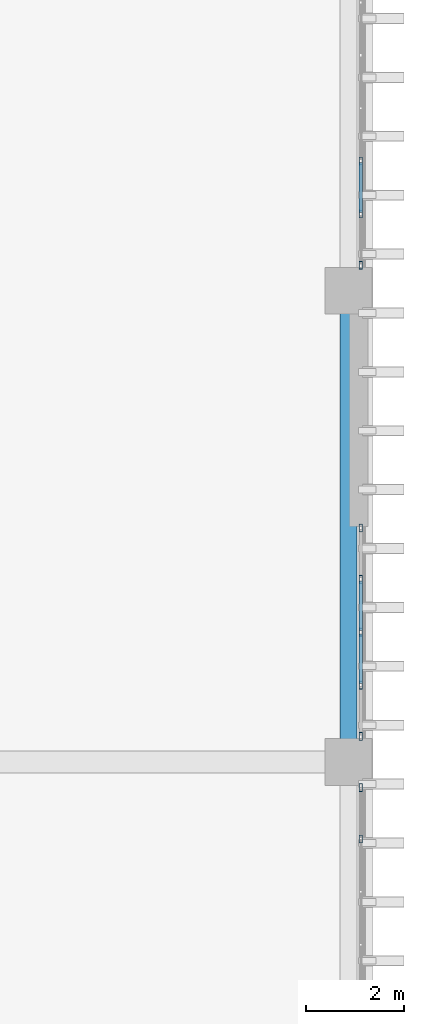
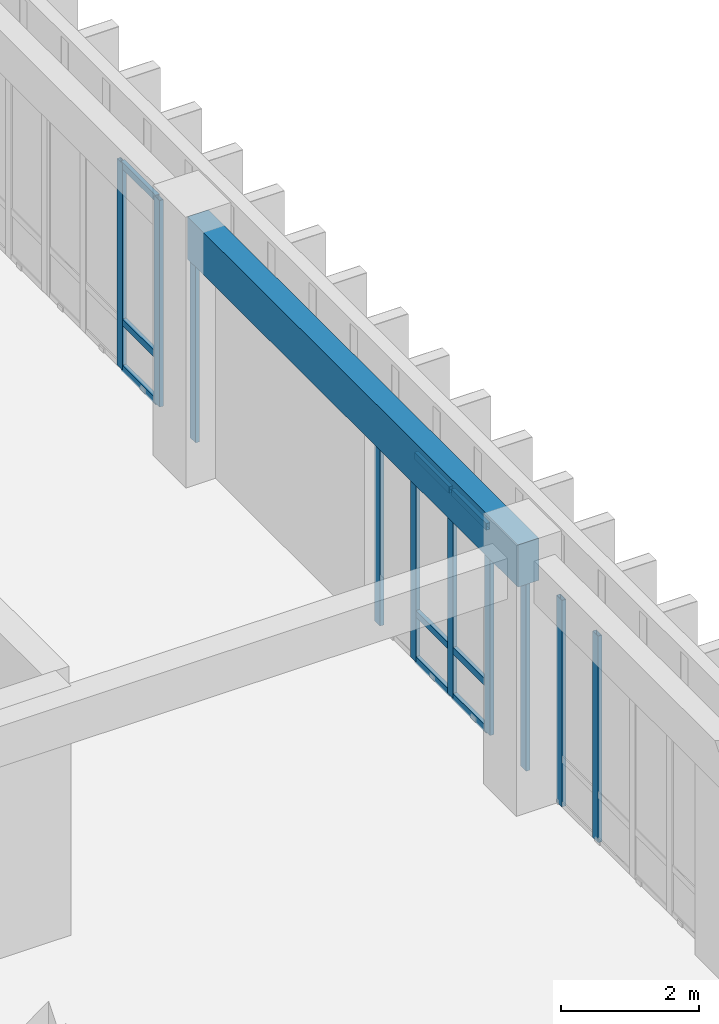
# One storey, part 65 of 133: 19 members, 1 beam, 3 elements without a shape of their own.
"""IFC4 building model written with IfcOpenShell, lengths in metres."""

from ifc_helpers import new_model, si_unit, direction, frame, origin, origin_2d, place, context, subcontext, project, spatial, rectangle, hollow_rectangle, extrude, material, layer, layer_set, material_profile, profile_set, type_object, element, aggregate, save


model = new_model("IFC4")

# Units and contexts
model_context = context("Model", 3, precision=1e-05, world=origin(), true_north=direction((0.0, 1.0)))
body_context = subcontext(model_context, "Body", "Model", "MODEL_VIEW")
ifc_project = project(units=[si_unit("LENGTHUNIT", "METRE"), si_unit("AREAUNIT", "SQUARE_METRE"), si_unit("VOLUMEUNIT", "CUBIC_METRE"), si_unit("PLANEANGLEUNIT", "RADIAN"), si_unit("MASSUNIT", "GRAM", prefix="KILO")], contexts=[model_context])

# Site, building, storey
site_placement = place(None, origin())
site = spatial("IfcSite", under=ifc_project, at=site_placement, CompositionType="ELEMENT")
building_placement = place(site_placement, origin())
building = spatial("IfcBuilding", under=site, at=building_placement, Name="Nakhvara Creek Congress Hotel", CompositionType="ELEMENT")
storey_placement = place(building_placement, frame((0.0, 0.0, 11.39990234375)))
storey = spatial("IfcBuildingStorey", under=building, at=storey_placement, Name="L02", CompositionType="ELEMENT", Elevation=11.39990234375)

# Beam
ifc_material_1 = material(Name="Concrete C40/50", Category="concrete")
ifc_material_profile_1 = material_profile(ifc_material_1, rectangle(XDim=0.35009765625, YDim=0.75, at=origin_2d()), Name="RC-SPANDREL 350x750", Category="LoadBearing")
ifc_profile_set_1 = profile_set([ifc_material_profile_1], Name="Concrete C40/50")
beam_type = type_object("IfcBeamType", Name="BM-SPN-350X750", PredefinedType="SPANDREL", material=ifc_profile_set_1)
beam_placement = place(storey_placement, frame((179.35009765625, 48.0, 4.045166015625), z_axis=(0.0, 1.0, 0.0), x_axis=(-1.0, 0.0, 0.0)))
element("IfcBeam", 1, at=beam_placement, inside=storey, type_object=beam_type, Name="Beam SP1-L02-1656", PredefinedType="SPANDREL", context=body_context, shape_type="SweptSolid", body=[
    extrude(rectangle(XDim=0.35009765625, YDim=0.75, at=origin_2d()), origin(), (0.0, 0.0, 1.0), 9.60009765625),
])

# Curtain wall, members
ifc_material_2 = material(Name="Bronze-anodised aluminium AW-6063-T6 and double-silver low-E glass", Category="aluminium")
ifc_layer = layer(ifc_material_2, 0.199951171875)
ifc_layer_set = layer_set([ifc_layer], Name="Bronze-anodised aluminium AW-6063-T6 and double-silver low-E glass")
curtain_wall_type = type_object("IfcCurtainWallType", Name="CW-HTL-UNIT", PredefinedType="USERDEFINED", material=ifc_layer_set)
curtain_wall_1_placement = place(storey_placement, origin())
curtain_wall_1 = element("IfcCurtainWall", 2, at=curtain_wall_1_placement, inside=storey, type_object=curtain_wall_type, Name="Curtain Wall CW134", ObjectType="UNITISED", PredefinedType="USERDEFINED")
ifc_material_3 = material(Name="Bronze-anodised aluminium AW-6063-T6", Category="aluminium")
ifc_material_profile_2 = material_profile(ifc_material_3, hollow_rectangle(XDim=0.06494140625, YDim=0.159912109375, WallThickness=0.00390625, at=origin_2d()), Name="ALU-MULL 65x160x4", Category="LoadBearing")
ifc_profile_set_2 = profile_set([ifc_material_profile_2], Name="Bronze-anodised aluminium AW-6063-T6")
member_type_1 = type_object("IfcMemberType", Name="CW-MULL-160", PredefinedType="MULLION", material=ifc_profile_set_2)
member_1_placement = place(storey_placement, frame((179.60009765625, 47.4775390625, 0.0), z_axis=(0.0, 0.0, 1.0), x_axis=(1.0, 0.0, 0.0)))
member_1 = element("IfcMember", 3, at=member_1_placement, type_object=member_type_1, Name="CW134 mullion 1", PredefinedType="MULLION", context=body_context, shape_type="SweptSolid", body=[
    extrude(hollow_rectangle(XDim=0.06494140625, YDim=0.159912109375, WallThickness=0.00390625, at=origin_2d()), origin(), (0.0, 0.0, 1.0), 3.662109375),
])
member_2_placement = place(storey_placement, frame((179.60009765625, 46.4326171875, 0.0), z_axis=(0.0, 0.0, 1.0), x_axis=(1.0, 0.0, 0.0)))
member_2 = element("IfcMember", 4, at=member_2_placement, type_object=member_type_1, Name="CW134 mullion 2", PredefinedType="MULLION", context=body_context, shape_type="SweptSolid", body=[
    extrude(hollow_rectangle(XDim=0.06494140625, YDim=0.159912109375, WallThickness=0.00390625, at=origin_2d()), origin(), (0.0, 0.0, 1.0), 3.662109375),
])
aggregate(curtain_wall_1, [member_1, member_2])

curtain_wall_2_placement = place(storey_placement, origin())
curtain_wall_2 = element("IfcCurtainWall", 5, at=curtain_wall_2_placement, inside=storey, type_object=curtain_wall_type, Name="Curtain Wall CW135", ObjectType="UNITISED", PredefinedType="USERDEFINED")
member_3_placement = place(storey_placement, frame((179.60009765625, 52.767578125, 0.0), z_axis=(0.0, 0.0, 1.0), x_axis=(1.0, 0.0, 0.0)))
member_3 = element("IfcMember", 6, at=member_3_placement, type_object=member_type_1, Name="CW135 mullion 1", PredefinedType="MULLION", context=body_context, shape_type="SweptSolid", body=[
    extrude(hollow_rectangle(XDim=0.06494140625, YDim=0.159912109375, WallThickness=0.00390625, at=origin_2d()), origin(), (0.0, 0.0, 1.0), 3.662109375),
])
member_4_placement = place(storey_placement, frame((179.60009765625, 51.722412109375, 0.0), z_axis=(0.0, 0.0, 1.0), x_axis=(1.0, 0.0, 0.0)))
member_4 = element("IfcMember", 7, at=member_4_placement, type_object=member_type_1, Name="CW135 mullion 2", PredefinedType="MULLION", context=body_context, shape_type="SweptSolid", body=[
    extrude(hollow_rectangle(XDim=0.06494140625, YDim=0.159912109375, WallThickness=0.00390625, at=origin_2d()), origin(), (0.0, 0.0, 1.0), 3.662109375),
])
member_5_placement = place(storey_placement, frame((179.60009765625, 50.64501953125, 0.0), z_axis=(0.0, 0.0, 1.0), x_axis=(1.0, 0.0, 0.0)))
member_5 = element("IfcMember", 8, at=member_5_placement, type_object=member_type_1, Name="CW135 mullion 3", PredefinedType="MULLION", context=body_context, shape_type="SweptSolid", body=[
    extrude(hollow_rectangle(XDim=0.06494140625, YDim=0.159912109375, WallThickness=0.00390625, at=origin_2d()), origin(), (0.0, 0.0, 1.0), 3.662109375),
])
member_6_placement = place(storey_placement, frame((179.60009765625, 49.5673828125, 0.0), z_axis=(0.0, 0.0, 1.0), x_axis=(1.0, 0.0, 0.0)))
member_6 = element("IfcMember", 9, at=member_6_placement, type_object=member_type_1, Name="CW135 mullion 4", PredefinedType="MULLION", context=body_context, shape_type="SweptSolid", body=[
    extrude(hollow_rectangle(XDim=0.06494140625, YDim=0.159912109375, WallThickness=0.00390625, at=origin_2d()), origin(), (0.0, 0.0, 1.0), 3.662109375),
])
member_7_placement = place(storey_placement, frame((179.60009765625, 48.5224609375, 0.0), z_axis=(0.0, 0.0, 1.0), x_axis=(1.0, 0.0, 0.0)))
member_7 = element("IfcMember", 10, at=member_7_placement, type_object=member_type_1, Name="CW135 mullion 5", PredefinedType="MULLION", context=body_context, shape_type="SweptSolid", body=[
    extrude(hollow_rectangle(XDim=0.06494140625, YDim=0.159912109375, WallThickness=0.00390625, at=origin_2d()), origin(), (0.0, 0.0, 1.0), 3.662109375),
])

curtain_wall_3_placement = place(storey_placement, origin())
curtain_wall_3 = element("IfcCurtainWall", 11, at=curtain_wall_3_placement, inside=storey, type_object=curtain_wall_type, Name="Curtain Wall CW136", ObjectType="UNITISED", PredefinedType="USERDEFINED")
member_8_placement = place(storey_placement, frame((179.60009765625, 60.2451171875, 0.0), z_axis=(0.0, 0.0, 1.0), x_axis=(1.0, 0.0, 0.0)))
member_8 = element("IfcMember", 12, at=member_8_placement, type_object=member_type_1, Name="CW136 mullion 3", PredefinedType="MULLION", context=body_context, shape_type="SweptSolid", body=[
    extrude(hollow_rectangle(XDim=0.06494140625, YDim=0.159912109375, WallThickness=0.00390625, at=origin_2d()), origin(), (0.0, 0.0, 1.0), 3.662109375),
])
member_9_placement = place(storey_placement, frame((179.60009765625, 59.16748046875, 0.0), z_axis=(0.0, 0.0, 1.0), x_axis=(1.0, 0.0, 0.0)))
member_9 = element("IfcMember", 13, at=member_9_placement, type_object=member_type_1, Name="CW136 mullion 4", PredefinedType="MULLION", context=body_context, shape_type="SweptSolid", body=[
    extrude(hollow_rectangle(XDim=0.06494140625, YDim=0.159912109375, WallThickness=0.00390625, at=origin_2d()), origin(), (0.0, 0.0, 1.0), 3.662109375),
])
member_10_placement = place(storey_placement, frame((179.60009765625, 58.12255859375, 0.0), z_axis=(0.0, 0.0, 1.0), x_axis=(1.0, 0.0, 0.0)))
member_10 = element("IfcMember", 14, at=member_10_placement, type_object=member_type_1, Name="CW136 mullion 5", PredefinedType="MULLION", context=body_context, shape_type="SweptSolid", body=[
    extrude(hollow_rectangle(XDim=0.06494140625, YDim=0.159912109375, WallThickness=0.00390625, at=origin_2d()), origin(), (0.0, 0.0, 1.0), 3.662109375),
])

# Member
ifc_material_profile_3 = material_profile(ifc_material_3, hollow_rectangle(XDim=0.06494140625, YDim=0.1201171875, WallThickness=0.00390625, at=origin_2d()), Name="ALU-TRAN 65x120x4", Category="LoadBearing")
ifc_profile_set_3 = profile_set([ifc_material_profile_3], Name="Bronze-anodised aluminium AW-6063-T6")
member_type_2 = type_object("IfcMemberType", Name="CW-TRAN-120", PredefinedType="USERDEFINED", material=ifc_profile_set_3)
member_11_placement = place(storey_placement, frame((179.60009765625, 51.68994140625, 0.03271484375), z_axis=(0.0, -1.0, 0.0), x_axis=(1.0, 0.0, 0.0)))
member_11 = element("IfcMember", 15, at=member_11_placement, type_object=member_type_2, Name="CW135 transom 2.1", ObjectType="TRANSOM", PredefinedType="USERDEFINED", context=body_context, shape_type="SweptSolid", body=[
    extrude(hollow_rectangle(XDim=0.06494140625, YDim=0.1201171875, WallThickness=0.00390625, at=origin_2d()), origin(), (0.0, 0.0, 1.0), 1.012451171875),
])

member_12_placement = place(storey_placement, frame((179.60009765625, 51.68994140625, 0.85009765625), z_axis=(0.0, -1.0, 0.0), x_axis=(1.0, 0.0, 0.0)))
member_12 = element("IfcMember", 16, at=member_12_placement, type_object=member_type_2, Name="CW135 transom 2.2", ObjectType="TRANSOM", PredefinedType="USERDEFINED", context=body_context, shape_type="SweptSolid", body=[
    extrude(hollow_rectangle(XDim=0.06494140625, YDim=0.1201171875, WallThickness=0.00390625, at=origin_2d()), origin(), (0.0, 0.0, 1.0), 1.012451171875),
])

member_13_placement = place(storey_placement, frame((179.60009765625, 51.68994140625, 3.629638671875), z_axis=(0.0, -1.0, 0.0), x_axis=(1.0, 0.0, 0.0)))
member_13 = element("IfcMember", 17, at=member_13_placement, type_object=member_type_2, Name="CW135 transom 2.3", ObjectType="TRANSOM", PredefinedType="USERDEFINED", context=body_context, shape_type="SweptSolid", body=[
    extrude(hollow_rectangle(XDim=0.06494140625, YDim=0.1201171875, WallThickness=0.00390625, at=origin_2d()), origin(), (0.0, 0.0, 1.0), 1.012451171875),
])

member_14_placement = place(storey_placement, frame((179.60009765625, 50.612548828125, 0.03271484375), z_axis=(0.0, -1.0, 0.0), x_axis=(1.0, 0.0, 0.0)))
member_14 = element("IfcMember", 18, at=member_14_placement, type_object=member_type_2, Name="CW135 transom 3.1", ObjectType="TRANSOM", PredefinedType="USERDEFINED", context=body_context, shape_type="SweptSolid", body=[
    extrude(hollow_rectangle(XDim=0.06494140625, YDim=0.1201171875, WallThickness=0.00390625, at=origin_2d()), origin(), (0.0, 0.0, 1.0), 1.012451171875),
])

member_15_placement = place(storey_placement, frame((179.60009765625, 50.612548828125, 0.85009765625), z_axis=(0.0, -1.0, 0.0), x_axis=(1.0, 0.0, 0.0)))
member_15 = element("IfcMember", 19, at=member_15_placement, type_object=member_type_2, Name="CW135 transom 3.2", ObjectType="TRANSOM", PredefinedType="USERDEFINED", context=body_context, shape_type="SweptSolid", body=[
    extrude(hollow_rectangle(XDim=0.06494140625, YDim=0.1201171875, WallThickness=0.00390625, at=origin_2d()), origin(), (0.0, 0.0, 1.0), 1.012451171875),
])

member_16_placement = place(storey_placement, frame((179.60009765625, 50.612548828125, 3.629638671875), z_axis=(0.0, -1.0, 0.0), x_axis=(1.0, 0.0, 0.0)))
member_16 = element("IfcMember", 20, at=member_16_placement, type_object=member_type_2, Name="CW135 transom 3.3", ObjectType="TRANSOM", PredefinedType="USERDEFINED", context=body_context, shape_type="SweptSolid", body=[
    extrude(hollow_rectangle(XDim=0.06494140625, YDim=0.1201171875, WallThickness=0.00390625, at=origin_2d()), origin(), (0.0, 0.0, 1.0), 1.012451171875),
])

aggregate(curtain_wall_2, [member_3, member_4, member_5, member_6, member_7, member_11, member_12, member_13, member_14, member_15, member_16])

member_17_placement = place(storey_placement, frame((179.60009765625, 60.21240234375, 0.03271484375), z_axis=(0.0, -1.0, 0.0), x_axis=(1.0, 0.0, 0.0)))
member_17 = element("IfcMember", 21, at=member_17_placement, type_object=member_type_2, Name="CW136 transom 3.1", ObjectType="TRANSOM", PredefinedType="USERDEFINED", context=body_context, shape_type="SweptSolid", body=[
    extrude(hollow_rectangle(XDim=0.06494140625, YDim=0.1201171875, WallThickness=0.00390625, at=origin_2d()), origin(), (0.0, 0.0, 1.0), 1.012451171875),
])

member_18_placement = place(storey_placement, frame((179.60009765625, 60.21240234375, 0.85009765625), z_axis=(0.0, -1.0, 0.0), x_axis=(1.0, 0.0, 0.0)))
member_18 = element("IfcMember", 22, at=member_18_placement, type_object=member_type_2, Name="CW136 transom 3.2", ObjectType="TRANSOM", PredefinedType="USERDEFINED", context=body_context, shape_type="SweptSolid", body=[
    extrude(hollow_rectangle(XDim=0.06494140625, YDim=0.1201171875, WallThickness=0.00390625, at=origin_2d()), origin(), (0.0, 0.0, 1.0), 1.012451171875),
])

member_19_placement = place(storey_placement, frame((179.60009765625, 60.21240234375, 3.629638671875), z_axis=(0.0, -1.0, 0.0), x_axis=(1.0, 0.0, 0.0)))
member_19 = element("IfcMember", 23, at=member_19_placement, type_object=member_type_2, Name="CW136 transom 3.3", ObjectType="TRANSOM", PredefinedType="USERDEFINED", context=body_context, shape_type="SweptSolid", body=[
    extrude(hollow_rectangle(XDim=0.06494140625, YDim=0.1201171875, WallThickness=0.00390625, at=origin_2d()), origin(), (0.0, 0.0, 1.0), 1.012451171875),
])

aggregate(curtain_wall_3, [member_8, member_9, member_10, member_17, member_18, member_19])

save(model, "model.ifc")
